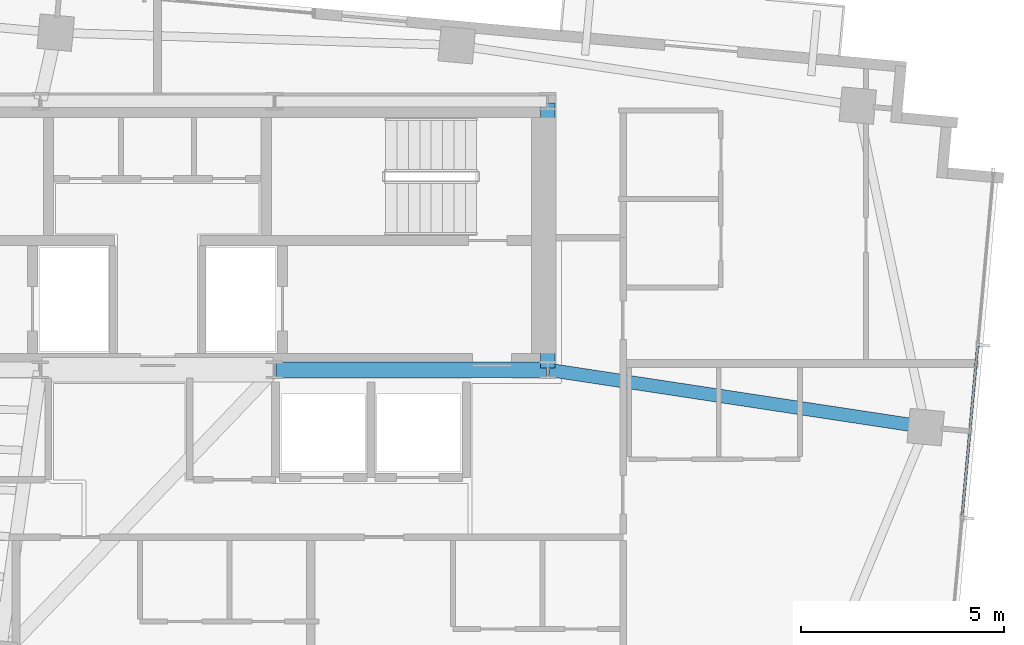
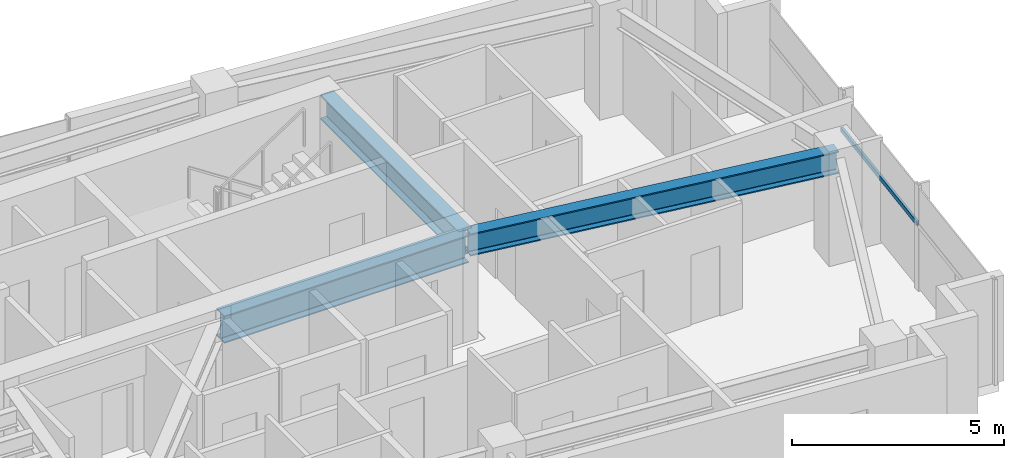
# One storey, part 13 of 22: 3 beams, 1 member, 1 element without a shape of its own.
"""IFC4 building model written with IfcOpenShell, lengths in metres."""

from ifc_helpers import new_model, si_unit, direction, frame, origin, origin_2d, place, context, subcontext, project, spatial, hollow_rectangle, i_section, extrude, source, transform, mapped, material, material_profile, profile_set, type_object, type_shapes, element, aggregate, save


model = new_model("IFC4")

# Units and contexts
model_context = context("Model", 3, precision=1e-05, world=origin(), true_north=direction((0.0, 1.0)))
body_context = subcontext(model_context, "Body", "Model", "MODEL_VIEW")
ifc_project = project(units=[si_unit("LENGTHUNIT", "METRE"), si_unit("AREAUNIT", "SQUARE_METRE"), si_unit("VOLUMEUNIT", "CUBIC_METRE"), si_unit("PLANEANGLEUNIT", "RADIAN"), si_unit("MASSUNIT", "GRAM", prefix="KILO")], contexts=[model_context])

# Site, building, storey
site_placement = place(None, origin())
site = spatial("IfcSite", under=ifc_project, at=site_placement, CompositionType="ELEMENT")
building_placement = place(site_placement, origin())
building = spatial("IfcBuilding", under=site, at=building_placement, Name="Astriad Promenade Condominiums", CompositionType="ELEMENT")
storey_placement = place(building_placement, frame((0.0, 0.0, 233.10009765625)))
storey = spatial("IfcBuildingStorey", under=building, at=storey_placement, Name="L67", CompositionType="ELEMENT", Elevation=233.10009765625)

# Beams
ifc_material_1 = material(Name="Steel ASTM A992 Grade 50", Category="steel")
ifc_material_profile_1 = material_profile(ifc_material_1, i_section(OverallWidth=0.3837890625, OverallDepth=0.785888671875, WebThickness=0.019775390625, FlangeThickness=0.033447265625, FilletRadius=0.021484375, at=origin_2d()), Name="W30X211")
ifc_profile_set_1 = profile_set([ifc_material_profile_1], Name="Steel ASTM A992 Grade 50")
beam_type_1 = type_object("IfcBeamType", Name="STEEL FLOOR GIRDER W30X211", PredefinedType="BEAM", material=ifc_profile_set_1)
shared_shape_1 = source(origin(), body_context, "Body", "SweptSolid", [
    extrude(i_section(OverallWidth=0.3837890625, OverallDepth=0.785888671875, WebThickness=0.019775390625, FlangeThickness=0.033447265625, FilletRadius=0.021484375, at=origin_2d()), origin(), (0.0, 0.0, 1.0), 6.64013671875),
])
type_shapes(beam_type_1, [shared_shape_1])
beam_1_placement = place(storey_placement, frame((38.919921875, 17.39990234375, 2.64697265625), z_axis=(1.0, 0.0, 0.0), x_axis=(0.0, 1.0, 0.0)))
element("IfcBeam", 1, at=beam_1_placement, inside=storey, type_object=beam_type_1, Name="Core Ring Beam CG-S3-L67", PredefinedType="BEAM", context=body_context, shape_type="MappedRepresentation", body=[
    mapped(shared_shape_1, transform((0.0, 0.0, 0.0), scale=1.0)),
])
ifc_material_profile_2 = material_profile(ifc_material_1, i_section(OverallWidth=0.35791015625, OverallDepth=0.706298828125, WebThickness=0.018310546875, FlangeThickness=0.0302734375, FilletRadius=0.020263671875, at=origin_2d()), Name="W27X178")
ifc_profile_set_2 = profile_set([ifc_material_profile_2], Name="Steel ASTM A992 Grade 50")
beam_type_2 = type_object("IfcBeamType", Name="STEEL FLOOR GIRDER W27X178", PredefinedType="BEAM", material=ifc_profile_set_2)
shared_shape_2 = source(origin(), body_context, "Body", "SweptSolid", [
    extrude(i_section(OverallWidth=0.35791015625, OverallDepth=0.706298828125, WebThickness=0.018310546875, FlangeThickness=0.0302734375, FilletRadius=0.020263671875, at=origin_2d()), origin(), (0.0, 0.0, 1.0), 6.52001953125),
])
type_shapes(beam_type_2, [shared_shape_2])
beam_2_placement = place(storey_placement, frame((45.60009765625, 17.43994140625, 2.686767578125), z_axis=(0.0, 1.0, 0.0), x_axis=(-1.0, 0.0, 0.0)))
element("IfcBeam", 2, at=beam_2_placement, inside=storey, type_object=beam_type_2, Name="Core Ring Beam CG-E1-L67", PredefinedType="BEAM", context=body_context, shape_type="MappedRepresentation", body=[
    mapped(shared_shape_2, transform((0.0, 0.0, 0.0), scale=1.0)),
])
ifc_material_profile_3 = material_profile(ifc_material_1, i_section(OverallWidth=0.327392578125, OverallDepth=0.640625, WebThickness=0.01904296875, FlangeThickness=0.033935546875, FilletRadius=0.017822265625, at=origin_2d()), Name="W24X176")
ifc_profile_set_3 = profile_set([ifc_material_profile_3], Name="Steel ASTM A992 Grade 50")
beam_type_3 = type_object("IfcBeamType", Name="STEEL FLOOR GIRDER W24X176", PredefinedType="BEAM", material=ifc_profile_set_3)
shared_shape_3 = source(origin(), body_context, "Body", "SweptSolid", [
    extrude(i_section(OverallWidth=0.327392578125, OverallDepth=0.640625, WebThickness=0.01904296875, FlangeThickness=0.033935546875, FilletRadius=0.017822265625, at=origin_2d()), origin(), (0.0, 0.0, 1.0), 9.315185546875),
])
type_shapes(beam_type_3, [shared_shape_3])
beam_3_placement = place(storey_placement, frame((54.84912109375, 15.995849609375, 2.719482421875), z_axis=(-0.988671230988, 0.150097291834, 0.0), x_axis=(-0.150097291834, -0.988671230988, 0.0)))
element("IfcBeam", 3, at=beam_3_placement, inside=storey, type_object=beam_type_3, Name="Primary Floor Girder PG-EM-L67", PredefinedType="BEAM", context=body_context, shape_type="MappedRepresentation", body=[
    mapped(shared_shape_3, transform((0.0, 0.0, 0.0), scale=1.0)),
])

# Curtain wall, member
ifc_material_2 = material(Name="Anodised aluminium Black Dark Glass Unitised", Category="aluminium")
curtain_wall_type = type_object("IfcCurtainWallType", Name="CW-B5-DARK", PredefinedType="USERDEFINED", material=ifc_material_2)
curtain_wall_placement = place(storey_placement, origin())
curtain_wall = element("IfcCurtainWall", 4, at=curtain_wall_placement, inside=storey, type_object=curtain_wall_type, Name="CW-L67-E", ObjectType="UNITISED_CURTAIN_WALL", PredefinedType="USERDEFINED")
ifc_material_3 = material(Name="Anodised aluminium 6063-T6 Black", Category="aluminium")
ifc_material_profile_4 = material_profile(ifc_material_3, hollow_rectangle(XDim=0.06494140625, YDim=0.1298828125, WallThickness=0.00390625, at=origin_2d()), Name="ALU-TRN-65X130")
ifc_profile_set_4 = profile_set([ifc_material_profile_4], Name="Anodised aluminium 6063-T6 Black")
member_type = type_object("IfcMemberType", Name="TRN-ALU-TRN-65X130", PredefinedType="USERDEFINED", material=ifc_profile_set_4)
shared_shape_4 = source(origin(), body_context, "Body", "SweptSolid", [
    extrude(hollow_rectangle(XDim=0.06494140625, YDim=0.1298828125, WallThickness=0.00390625, at=origin_2d()), origin(), (0.0, 0.0, 1.0), 4.266845703125),
])
type_shapes(member_type, [shared_shape_4])
member_placement = place(storey_placement, frame((56.16748046875, 18.015625, 1.884765625), z_axis=(-0.090633767096, -0.995884290599, 0.0), x_axis=(0.995884290599, -0.090633767096, 0.0)))
member = element("IfcMember", 5, at=member_placement, type_object=member_type, Name="CW-L67-E-TRN-01-0", ObjectType="TRANSOM", PredefinedType="USERDEFINED", context=body_context, shape_type="MappedRepresentation", body=[
    mapped(shared_shape_4, transform((0.0, 0.0, 0.0), scale=1.0)),
])
aggregate(curtain_wall, [member])

save(model, "model.ifc")
